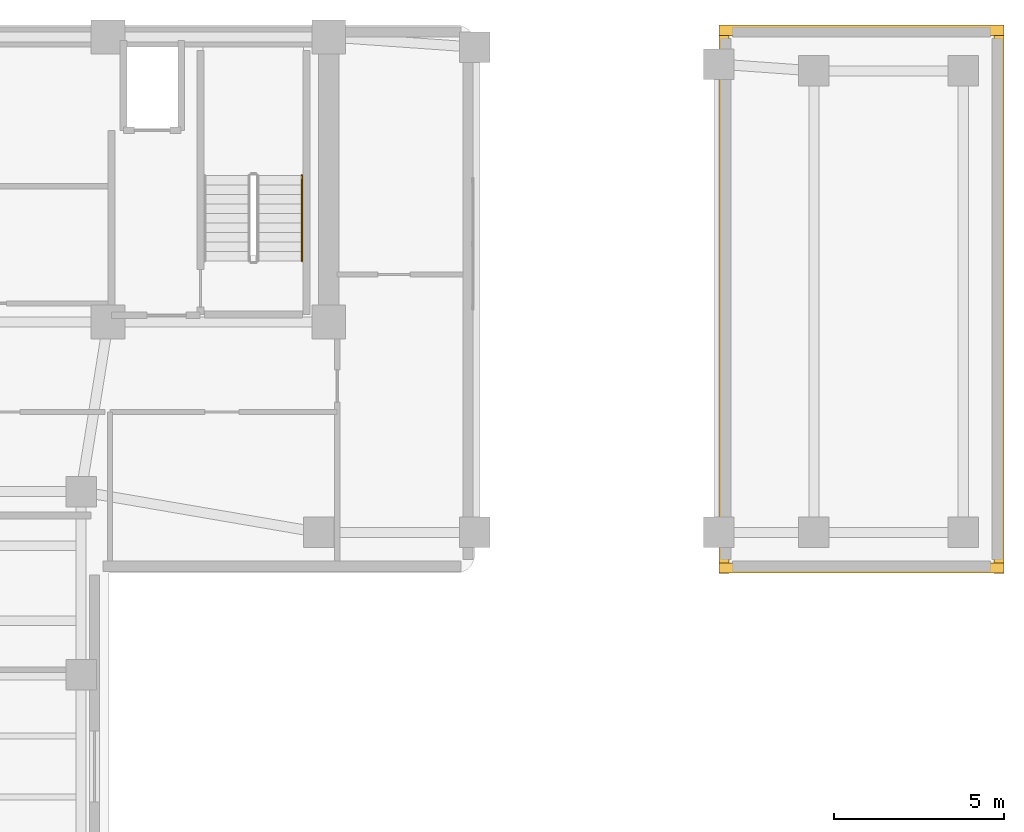
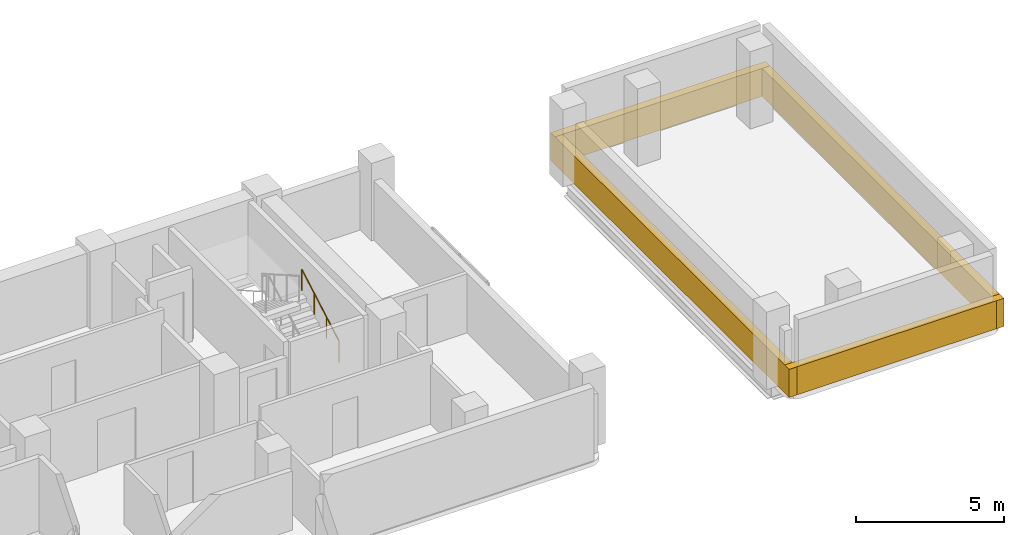
# One storey, part 9 of 9: 4 coverings, 1 railing.
"""IFC4 building model written with IfcOpenShell, lengths in metres."""

import ifcopenshell
import ifcopenshell.guid

model = None  # the IFC model being written
_history = None  # IfcOwnerHistory: only IFC2X3 demands one
_inside = {}  # id of a spatial element -> (the spatial element, [elements in it])
_under = {}  # id of a project, library or spatial element -> (it, [spatial elements below it])
_declared = {}  # id of a project -> (the project, [libraries it declares])
_typed = {}  # id of a type object -> (the type object, [elements of that type])
_made_of = {}  # id of a material, layer set ... -> (it, [elements and type objects made of it])


def new_model(schema):
    """Start an empty IFC model of exactly this schema.

    Asked for "IFC4X3", IfcOpenShell would pick the latest addendum, in which some entities
    have other attributes; the version numbers below select the first issue.
    IFC2X3 requires an IfcOwnerHistory on every rooted entity: one is made here for all.
    """
    global model, _history
    if schema == "IFC4X3":
        model = ifcopenshell.file(schema_version=(4, 3, 0, 0))
    else:
        model = ifcopenshell.file(schema=schema)
    _inside.clear()
    _under.clear()
    _declared.clear()
    _typed.clear()
    _made_of.clear()
    _history = None
    if model.schema == "IFC2X3":
        org = make("IfcOrganization", Name="unknown")
        user = make(
            "IfcPersonAndOrganization",
            ThePerson=make("IfcPerson", FamilyName="unknown"),
            TheOrganization=org,
        )
        app = make(
            "IfcApplication",
            ApplicationDeveloper=org,
            Version="unknown",
            ApplicationFullName="unknown",
            ApplicationIdentifier="unknown",
        )
        _history = make(
            "IfcOwnerHistory",
            OwningUser=user,
            OwningApplication=app,
            ChangeAction="ADDED",
            CreationDate=0,
        )
    return model


def make(cls, **values):
    """One entity of the class cls with the attributes given. An attribute that is None is left unset."""
    return model.create_entity(
        cls, **{name: value for name, value in values.items() if value is not None}
    )


def rooted(cls, **values):
    """An entity with a GlobalId (a new one), such as an element, a storey or a relation."""
    return make(cls, GlobalId=ifcopenshell.guid.new(), OwnerHistory=_history, **values)


def si_unit(unit_type, name, prefix=None):
    """IfcSIUnit, for example si_unit("LENGTHUNIT", "METRE", prefix="MILLI")."""
    return make("IfcSIUnit", UnitType=unit_type, Prefix=prefix, Name=name)


def assignment(units):
    """IfcUnitAssignment: the units of a project."""
    return None if units is None else make("IfcUnitAssignment", Units=units)


def point(xyz):
    """IfcCartesianPoint."""
    return None if xyz is None else make("IfcCartesianPoint", Coordinates=xyz)


def direction(xyz):
    """IfcDirection."""
    return None if xyz is None else make("IfcDirection", DirectionRatios=xyz)


def frame(location, z_axis=None, x_axis=None):
    """IfcAxis2Placement3D, a coordinate frame: its origin and axes. An axis left out is left unset."""
    return make(
        "IfcAxis2Placement3D",
        Location=point(location),
        Axis=direction(z_axis),
        RefDirection=direction(x_axis),
    )


def frame_2d(location, x_axis=None):
    """IfcAxis2Placement2D, a coordinate frame in the plane: its origin and x axis."""
    return make(
        "IfcAxis2Placement2D", Location=point(location), RefDirection=direction(x_axis)
    )


def origin():
    """The frame at (0, 0, 0) with its axes left unset."""
    return frame((0.0, 0.0, 0.0))


def origin_2d():
    """The frame at (0, 0) in the plane with its x axis left unset."""
    return frame_2d((0.0, 0.0))


def place(relative_to, where):
    """IfcLocalPlacement: puts the frame where relative to a parent placement (None: the world)."""
    return make(
        "IfcLocalPlacement", PlacementRelTo=relative_to, RelativePlacement=where
    )


def context(
    kind, dimensions, precision=None, world=None, true_north=None, identifier=None
):
    """IfcGeometricRepresentationContext, for example the 3D "Model" context."""
    return make(
        "IfcGeometricRepresentationContext",
        ContextIdentifier=identifier,
        ContextType=kind,
        CoordinateSpaceDimension=dimensions,
        Precision=precision,
        WorldCoordinateSystem=world,
        TrueNorth=true_north,
    )


def subcontext(parent, identifier, kind, view, scale=None):
    """IfcGeometricRepresentationSubContext, for example "Body" below "Model"."""
    return make(
        "IfcGeometricRepresentationSubContext",
        ContextIdentifier=identifier,
        ContextType=kind,
        ParentContext=parent,
        TargetScale=scale,
        TargetView=view,
    )


def project(units=None, contexts=None):
    """IfcProject with its units and contexts."""
    return rooted(
        "IfcProject",
        Name="project",
        RepresentationContexts=contexts,
        UnitsInContext=assignment(units),
    )


def spatial(cls, under=None, at=None, **own):
    """A site, building, storey or space (cls), placed at a placement, below another one or the project."""
    s = rooted(cls, ObjectPlacement=at, **own)
    if under is not None:
        _under.setdefault(under.id(), (under, []))[1].append(s)
    return s


def profile(cls, at=None, kind="AREA", **sizes):
    """A parametric profile (cls). Its sizes go by their IFC names, for example OverallWidth=200.0."""
    return make(cls, ProfileType=kind, Position=at, **sizes)


def rectangle(**sizes):
    """IfcRectangleProfileDef."""
    return profile("IfcRectangleProfileDef", **sizes)


def circle(**sizes):
    """IfcCircleProfileDef."""
    return profile("IfcCircleProfileDef", **sizes)


def extrude(swept, where, along, depth):
    """IfcExtrudedAreaSolid: the profile swept, set in the frame where, extruded along a direction by depth."""
    return make(
        "IfcExtrudedAreaSolid",
        SweptArea=swept,
        Position=where,
        ExtrudedDirection=direction(along),
        Depth=depth,
    )


def shape(context_of_items, identifier, shape_type, items):
    """IfcShapeRepresentation: the items that make up one representation, for example the "Body"."""
    return make(
        "IfcShapeRepresentation",
        ContextOfItems=context_of_items,
        RepresentationIdentifier=identifier,
        RepresentationType=shape_type,
        Items=items,
    )


def material(Name=None, Category=None):
    """IfcMaterial."""
    return make("IfcMaterial", Name=Name, Category=Category)


def layer(
    of_material, thickness, ventilated=None, Name=None, Category=None, Priority=None
):
    """IfcMaterialLayer: one layer of a wall or slab, of a material (None: an air gap)."""
    return make(
        "IfcMaterialLayer",
        Material=of_material,
        LayerThickness=thickness,
        IsVentilated=ventilated,
        Name=Name,
        Category=Category,
        Priority=Priority,
    )


def layer_set(layers, Name=None):
    """IfcMaterialLayerSet."""
    return make("IfcMaterialLayerSet", MaterialLayers=layers, LayerSetName=Name)


def made_of(thing, what):
    """Note that an element or type object is made of a material, layer set ...; save() writes the relation."""
    if what is not None:
        _made_of.setdefault(what.id(), (what, []))[1].append(thing)
    return thing


def type_object(cls, material=None, **own):
    """A type object (cls), such as IfcWallType, which elements share."""
    return made_of(rooted(cls, **own), material)


def element(
    cls,
    number,
    at=None,
    inside=None,
    cuts=None,
    type_object=None,
    material=None,
    context=None,
    identifier="Body",
    shape_type=None,
    held_by="IfcProductDefinitionShape",
    body=None,
    shapes=None,
    **own,
):
    """One element of the class cls, such as IfcWall. Its Tag is "e" and its number.

    at: its placement. inside: the storey or other place that contains it. cuts: it is an
    opening in that element (IfcRelVoidsElement). A single representation is given by context,
    identifier, shape_type and body (its items); several are given by shapes. held_by: the class
    of the entity that holds the representations. save() writes the other relations.
    """
    e = rooted(cls, Tag="e%d" % number, ObjectPlacement=at, **own)
    if body is not None:
        shapes = [shape(context, identifier, shape_type, body)]
    if shapes is not None:
        e.Representation = make(held_by, Representations=shapes)
    if inside is not None:
        _inside.setdefault(inside.id(), (inside, []))[1].append(e)
    if cuts is not None:
        rooted(
            "IfcRelVoidsElement", RelatingBuildingElement=cuts, RelatedOpeningElement=e
        )
    if type_object is not None:
        _typed.setdefault(type_object.id(), (type_object, []))[1].append(e)
    return made_of(e, material)


def aggregate(whole, parts):
    """IfcRelAggregates: a whole, such as a stair, and the parts it consists of."""
    return rooted("IfcRelAggregates", RelatingObject=whole, RelatedObjects=parts)


def save(model, path):
    """Write the relations noted so far, then the file.

    IfcRelAggregates (storeys below a building ...), IfcRelContainedInSpatialStructure (elements
    in a storey), IfcRelDefinesByType, IfcRelAssociatesMaterial and IfcRelDeclares: one each for
    every whole, place, type object, material and project.
    """
    for whole, parts in _under.values():
        aggregate(whole, parts)
    for where, things in _inside.values():
        rooted(
            "IfcRelContainedInSpatialStructure",
            RelatedElements=things,
            RelatingStructure=where,
        )
    for kind, things in _typed.values():
        rooted("IfcRelDefinesByType", RelatedObjects=things, RelatingType=kind)
    for what, things in _made_of.values():
        rooted("IfcRelAssociatesMaterial", RelatedObjects=things, RelatingMaterial=what)
    for by, libraries in _declared.values():
        rooted("IfcRelDeclares", RelatingContext=by, RelatedDefinitions=libraries)
    model.write(path)


model = new_model("IFC4")

# Units and contexts
model_context = context("Model", 3, precision=1e-05, world=origin(), true_north=direction((0.0, 1.0)))
body_context = subcontext(model_context, "Body", "Model", "MODEL_VIEW")
ifc_project = project(units=[si_unit("LENGTHUNIT", "METRE"), si_unit("AREAUNIT", "SQUARE_METRE"), si_unit("VOLUMEUNIT", "CUBIC_METRE"), si_unit("PLANEANGLEUNIT", "RADIAN"), si_unit("MASSUNIT", "GRAM", prefix="KILO")], contexts=[model_context])

# Site, building, storey
site_placement = place(None, origin())
site = spatial("IfcSite", under=ifc_project, at=site_placement, CompositionType="ELEMENT")
building_placement = place(site_placement, origin())
building = spatial("IfcBuilding", under=site, at=building_placement, Name="Kuzgunbayir Cultural Tower", CompositionType="ELEMENT")
storey_placement = place(building_placement, frame((0.0, 0.0, 166.39990234375)))
storey = spatial("IfcBuildingStorey", under=building, at=storey_placement, Name="L48", CompositionType="ELEMENT", Elevation=166.39990234375)

# Coverings
ifc_material_1 = material(Name="Anatolian Cream Limestone", Category="masonry")
ifc_layer_1 = layer(ifc_material_1, 0.06005859375)
ifc_layer_set_1 = layer_set([ifc_layer_1], Name="Anatolian Cream Limestone")
covering_type = type_object("IfcCoveringType", Name="COV-CLAD-LIMESTONE-6", PredefinedType="CLADDING", material=ifc_layer_set_1)
for number, where, z_axis, x_axis, name in (
    (1, (38.550048828125, 34.469970703125, -0.02001953125), (0.0, 0.0, 1.0), (1.0, 0.0, 0.0), "L48 Portal Cap West Coping Fascia"),
    (2, (46.64990234375, 34.469970703125, -0.02001953125), (0.0, 0.0, 1.0), (1.0, 0.0, 0.0), "L48 Portal Cap East Coping Fascia"),
):
    element("IfcCovering", number, at=place(storey_placement, frame(where, z_axis=z_axis, x_axis=x_axis)), inside=storey, type_object=covering_type, Name=name, PredefinedType="CLADDING", context=body_context, shape_type="SweptSolid", body=[
        extrude(rectangle(XDim=0.300048828125, YDim=16.14990234375, at=origin_2d()), origin(), (0.0, 0.0, 1.0), 1.159912109375),
    ])
for number, where, z_axis, x_axis, name in (
    (3, (42.60009765625, 26.550048828125, -0.02001953125), (0.0, 0.0, 1.0), (1.0, 0.0, 0.0), "L48 Portal Cap South Coping Fascia"),
    (4, (42.60009765625, 42.39990234375, -0.02001953125), (0.0, 0.0, 1.0), (1.0, 0.0, 0.0), "L48 Portal Cap North Coping Fascia"),
):
    element("IfcCovering", number, at=place(storey_placement, frame(where, z_axis=z_axis, x_axis=x_axis)), inside=storey, type_object=covering_type, Name=name, PredefinedType="CLADDING", context=body_context, shape_type="SweptSolid", body=[
        extrude(rectangle(XDim=8.39990234375, YDim=0.300048828125, at=origin_2d()), origin(), (0.0, 0.0, 1.0), 1.159912109375),
    ])

# Railing
ifc_material_2 = material(Name="Brushed Stainless Steel", Category="steel")
ifc_layer_2 = layer(ifc_material_2, 0.050048828125)
ifc_layer_set_2 = layer_set([ifc_layer_2], Name="Brushed Stainless Steel")
railing_type = type_object("IfcRailingType", Name="RLG-STAIR-HANDRAIL", PredefinedType="HANDRAIL", material=ifc_layer_set_2)
railing_placement = place(storey_placement, frame((26.110107421875, 35.60009765625, 0.16015625)))
element("IfcRailing", 5, at=railing_placement, inside=storey, type_object=railing_type, Name="L48 ST-2 stair handrail 1", PredefinedType="HANDRAIL", context=body_context, shape_type="SweptSolid", body=[
    extrude(circle(Radius=0.02392578125, at=origin_2d()), frame((0.0, 0.0, 0.8759765625), z_axis=(0.0, 0.868253494771, 0.496120820787), x_axis=(-1.0, 0.0, 0.0)), (0.0, 0.0, 1.0), 2.90234375),
    extrude(circle(Radius=0.02099609375, at=origin_2d()), origin(), (0.0, 0.0, 1.0), 0.851806640625),
    extrude(circle(Radius=0.02099609375, at=origin_2d()), frame((0.0, 0.840087890625, 0.47998046875)), (0.0, 0.0, 1.0), 0.851806640625),
    extrude(circle(Radius=0.02099609375, at=origin_2d()), frame((0.0, 1.679931640625, 0.9599609375)), (0.0, 0.0, 1.0), 0.851806640625),
    extrude(circle(Radius=0.02099609375, at=origin_2d()), frame((0.0, 2.52001953125, 1.43994140625)), (0.0, 0.0, 1.0), 0.851806640625),
])

save(model, "model.ifc")
